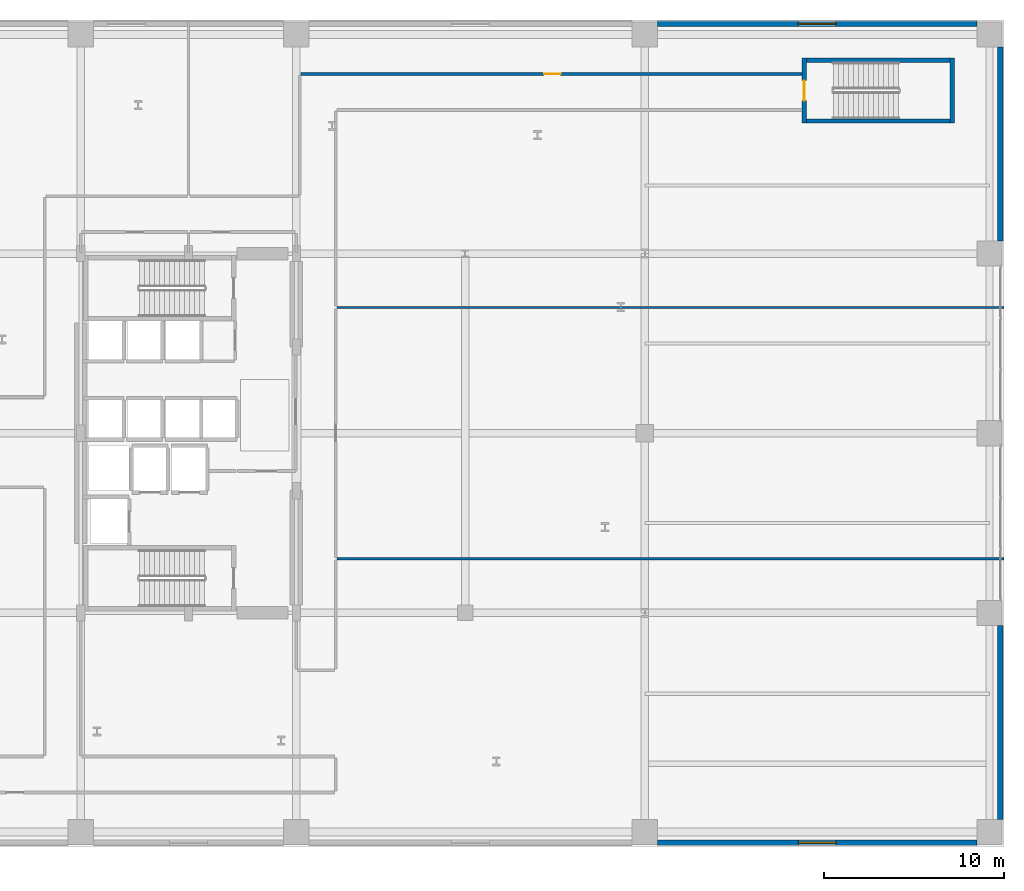
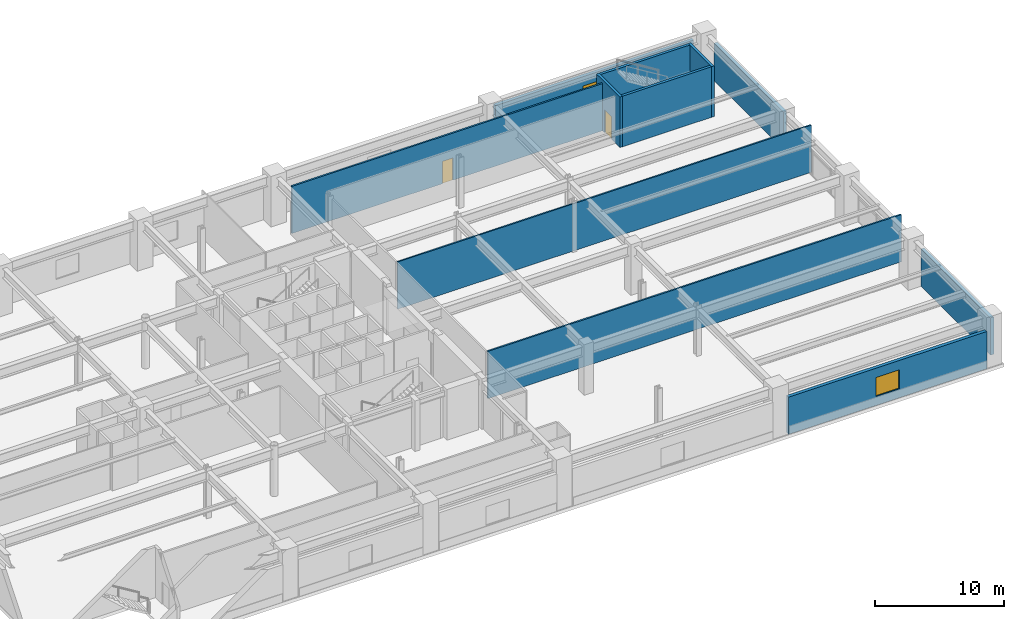
# One storey, part 22 of 28: 11 walls, 2 doors, 2 windows, 4 openings.
"""IFC4 building model written with IfcOpenShell, lengths in metres."""

import ifcopenshell
import ifcopenshell.guid

model = None  # the IFC model being written
_history = None  # IfcOwnerHistory: only IFC2X3 demands one
_inside = {}  # id of a spatial element -> (the spatial element, [elements in it])
_under = {}  # id of a project, library or spatial element -> (it, [spatial elements below it])
_declared = {}  # id of a project -> (the project, [libraries it declares])
_typed = {}  # id of a type object -> (the type object, [elements of that type])
_made_of = {}  # id of a material, layer set ... -> (it, [elements and type objects made of it])


def new_model(schema):
    """Start an empty IFC model of exactly this schema.

    Asked for "IFC4X3", IfcOpenShell would pick the latest addendum, in which some entities
    have other attributes; the version numbers below select the first issue.
    IFC2X3 requires an IfcOwnerHistory on every rooted entity: one is made here for all.
    """
    global model, _history
    if schema == "IFC4X3":
        model = ifcopenshell.file(schema_version=(4, 3, 0, 0))
    else:
        model = ifcopenshell.file(schema=schema)
    _inside.clear()
    _under.clear()
    _declared.clear()
    _typed.clear()
    _made_of.clear()
    _history = None
    if model.schema == "IFC2X3":
        org = make("IfcOrganization", Name="unknown")
        user = make(
            "IfcPersonAndOrganization",
            ThePerson=make("IfcPerson", FamilyName="unknown"),
            TheOrganization=org,
        )
        app = make(
            "IfcApplication",
            ApplicationDeveloper=org,
            Version="unknown",
            ApplicationFullName="unknown",
            ApplicationIdentifier="unknown",
        )
        _history = make(
            "IfcOwnerHistory",
            OwningUser=user,
            OwningApplication=app,
            ChangeAction="ADDED",
            CreationDate=0,
        )
    return model


def make(cls, **values):
    """One entity of the class cls with the attributes given. An attribute that is None is left unset."""
    return model.create_entity(
        cls, **{name: value for name, value in values.items() if value is not None}
    )


def rooted(cls, **values):
    """An entity with a GlobalId (a new one), such as an element, a storey or a relation."""
    return make(cls, GlobalId=ifcopenshell.guid.new(), OwnerHistory=_history, **values)


def si_unit(unit_type, name, prefix=None):
    """IfcSIUnit, for example si_unit("LENGTHUNIT", "METRE", prefix="MILLI")."""
    return make("IfcSIUnit", UnitType=unit_type, Prefix=prefix, Name=name)


def assignment(units):
    """IfcUnitAssignment: the units of a project."""
    return None if units is None else make("IfcUnitAssignment", Units=units)


def point(xyz):
    """IfcCartesianPoint."""
    return None if xyz is None else make("IfcCartesianPoint", Coordinates=xyz)


def direction(xyz):
    """IfcDirection."""
    return None if xyz is None else make("IfcDirection", DirectionRatios=xyz)


def frame(location, z_axis=None, x_axis=None):
    """IfcAxis2Placement3D, a coordinate frame: its origin and axes. An axis left out is left unset."""
    return make(
        "IfcAxis2Placement3D",
        Location=point(location),
        Axis=direction(z_axis),
        RefDirection=direction(x_axis),
    )


def frame_2d(location, x_axis=None):
    """IfcAxis2Placement2D, a coordinate frame in the plane: its origin and x axis."""
    return make(
        "IfcAxis2Placement2D", Location=point(location), RefDirection=direction(x_axis)
    )


def origin():
    """The frame at (0, 0, 0) with its axes left unset."""
    return frame((0.0, 0.0, 0.0))


def place(relative_to, where):
    """IfcLocalPlacement: puts the frame where relative to a parent placement (None: the world)."""
    return make(
        "IfcLocalPlacement", PlacementRelTo=relative_to, RelativePlacement=where
    )


def context(
    kind, dimensions, precision=None, world=None, true_north=None, identifier=None
):
    """IfcGeometricRepresentationContext, for example the 3D "Model" context."""
    return make(
        "IfcGeometricRepresentationContext",
        ContextIdentifier=identifier,
        ContextType=kind,
        CoordinateSpaceDimension=dimensions,
        Precision=precision,
        WorldCoordinateSystem=world,
        TrueNorth=true_north,
    )


def subcontext(parent, identifier, kind, view, scale=None):
    """IfcGeometricRepresentationSubContext, for example "Body" below "Model"."""
    return make(
        "IfcGeometricRepresentationSubContext",
        ContextIdentifier=identifier,
        ContextType=kind,
        ParentContext=parent,
        TargetScale=scale,
        TargetView=view,
    )


def project(units=None, contexts=None):
    """IfcProject with its units and contexts."""
    return rooted(
        "IfcProject",
        Name="project",
        RepresentationContexts=contexts,
        UnitsInContext=assignment(units),
    )


def spatial(cls, under=None, at=None, **own):
    """A site, building, storey or space (cls), placed at a placement, below another one or the project."""
    s = rooted(cls, ObjectPlacement=at, **own)
    if under is not None:
        _under.setdefault(under.id(), (under, []))[1].append(s)
    return s


def profile(cls, at=None, kind="AREA", **sizes):
    """A parametric profile (cls). Its sizes go by their IFC names, for example OverallWidth=200.0."""
    return make(cls, ProfileType=kind, Position=at, **sizes)


def rectangle(**sizes):
    """IfcRectangleProfileDef."""
    return profile("IfcRectangleProfileDef", **sizes)


def extrude(swept, where, along, depth):
    """IfcExtrudedAreaSolid: the profile swept, set in the frame where, extruded along a direction by depth."""
    return make(
        "IfcExtrudedAreaSolid",
        SweptArea=swept,
        Position=where,
        ExtrudedDirection=direction(along),
        Depth=depth,
    )


def shape(context_of_items, identifier, shape_type, items):
    """IfcShapeRepresentation: the items that make up one representation, for example the "Body"."""
    return make(
        "IfcShapeRepresentation",
        ContextOfItems=context_of_items,
        RepresentationIdentifier=identifier,
        RepresentationType=shape_type,
        Items=items,
    )


def material(Name=None, Category=None):
    """IfcMaterial."""
    return make("IfcMaterial", Name=Name, Category=Category)


def layer(
    of_material, thickness, ventilated=None, Name=None, Category=None, Priority=None
):
    """IfcMaterialLayer: one layer of a wall or slab, of a material (None: an air gap)."""
    return make(
        "IfcMaterialLayer",
        Material=of_material,
        LayerThickness=thickness,
        IsVentilated=ventilated,
        Name=Name,
        Category=Category,
        Priority=Priority,
    )


def layer_set(layers, Name=None):
    """IfcMaterialLayerSet."""
    return make("IfcMaterialLayerSet", MaterialLayers=layers, LayerSetName=Name)


def made_of(thing, what):
    """Note that an element or type object is made of a material, layer set ...; save() writes the relation."""
    if what is not None:
        _made_of.setdefault(what.id(), (what, []))[1].append(thing)
    return thing


def type_object(cls, material=None, **own):
    """A type object (cls), such as IfcWallType, which elements share."""
    return made_of(rooted(cls, **own), material)


def element(
    cls,
    number,
    at=None,
    inside=None,
    cuts=None,
    type_object=None,
    material=None,
    context=None,
    identifier="Body",
    shape_type=None,
    held_by="IfcProductDefinitionShape",
    body=None,
    shapes=None,
    **own,
):
    """One element of the class cls, such as IfcWall. Its Tag is "e" and its number.

    at: its placement. inside: the storey or other place that contains it. cuts: it is an
    opening in that element (IfcRelVoidsElement). A single representation is given by context,
    identifier, shape_type and body (its items); several are given by shapes. held_by: the class
    of the entity that holds the representations. save() writes the other relations.
    """
    e = rooted(cls, Tag="e%d" % number, ObjectPlacement=at, **own)
    if body is not None:
        shapes = [shape(context, identifier, shape_type, body)]
    if shapes is not None:
        e.Representation = make(held_by, Representations=shapes)
    if inside is not None:
        _inside.setdefault(inside.id(), (inside, []))[1].append(e)
    if cuts is not None:
        rooted(
            "IfcRelVoidsElement", RelatingBuildingElement=cuts, RelatedOpeningElement=e
        )
    if type_object is not None:
        _typed.setdefault(type_object.id(), (type_object, []))[1].append(e)
    return made_of(e, material)


def fill(opening, filler):
    """IfcRelFillsElement: the door or window that sits in an opening."""
    return rooted(
        "IfcRelFillsElement",
        RelatingOpeningElement=opening,
        RelatedBuildingElement=filler,
    )


def aggregate(whole, parts):
    """IfcRelAggregates: a whole, such as a stair, and the parts it consists of."""
    return rooted("IfcRelAggregates", RelatingObject=whole, RelatedObjects=parts)


def save(model, path):
    """Write the relations noted so far, then the file.

    IfcRelAggregates (storeys below a building ...), IfcRelContainedInSpatialStructure (elements
    in a storey), IfcRelDefinesByType, IfcRelAssociatesMaterial and IfcRelDeclares: one each for
    every whole, place, type object, material and project.
    """
    for whole, parts in _under.values():
        aggregate(whole, parts)
    for where, things in _inside.values():
        rooted(
            "IfcRelContainedInSpatialStructure",
            RelatedElements=things,
            RelatingStructure=where,
        )
    for kind, things in _typed.values():
        rooted("IfcRelDefinesByType", RelatedObjects=things, RelatingType=kind)
    for what, things in _made_of.values():
        rooted("IfcRelAssociatesMaterial", RelatedObjects=things, RelatingMaterial=what)
    for by, libraries in _declared.values():
        rooted("IfcRelDeclares", RelatingContext=by, RelatedDefinitions=libraries)
    model.write(path)


model = new_model("IFC4")

# Units and contexts
model_context = context("Model", 3, precision=1e-05, world=origin(), true_north=direction((0.0, 1.0)))
body_context = subcontext(model_context, "Body", "Model", "MODEL_VIEW")
ifc_project = project(units=[si_unit("LENGTHUNIT", "METRE"), si_unit("AREAUNIT", "SQUARE_METRE"), si_unit("VOLUMEUNIT", "CUBIC_METRE"), si_unit("PLANEANGLEUNIT", "RADIAN"), si_unit("MASSUNIT", "GRAM", prefix="KILO")], contexts=[model_context])

# Site, building, storey
site_placement = place(None, origin())
site = spatial("IfcSite", under=ifc_project, at=site_placement, CompositionType="ELEMENT")
building_placement = place(site_placement, origin())
building = spatial("IfcBuilding", under=site, at=building_placement, Name="Soratama Intermodal Tower", CompositionType="ELEMENT")
storey_placement = place(building_placement, frame((0.0, 0.0, 11.39990234375)))
storey = spatial("IfcBuildingStorey", under=building, at=storey_placement, Name="L02", CompositionType="ELEMENT", Elevation=11.39990234375)

# Wall, opening, window
ifc_material_1 = material(Name="Concrete f'c 42 MPa", Category="concrete")
ifc_layer_1 = layer(ifc_material_1, 0.300048828125)
ifc_layer_set_1 = layer_set([ifc_layer_1], Name="Concrete f'c 42 MPa")
wall_type_1 = type_object("IfcWallType", Name="EW-STONE-300", PredefinedType="SOLIDWALL", material=ifc_layer_set_1)
wall_1_placement = place(storey_placement, frame((64.699951171875, 47.800048828125, 0.0), z_axis=(0.0, 0.0, 1.0), x_axis=(1.0, 0.0, 0.0)))
wall_1 = element("IfcWall", 1, at=wall_1_placement, inside=storey, type_object=wall_type_1, Name="L02 N Limestone Wall B5", PredefinedType="SOLIDWALL", context=body_context, shape_type="SweptSolid", body=[
    extrude(rectangle(XDim=17.800048828125, YDim=0.300048828125, at=frame_2d((8.89990234375, 0.0))), origin(), (0.0, 0.0, 1.0), 3.5361328125),
])
opening_1_placement = place(wall_1_placement, frame((7.85009765625, 0.0, 0.85009765625)))
opening_1 = element("IfcOpeningElement", 2, at=opening_1_placement, cuts=wall_1, Name="Opening WN-0", PredefinedType="OPENING", context=body_context, shape_type="SweptSolid", body=[
    extrude(rectangle(XDim=2.10009765625, YDim=1.800048828125, at=frame_2d((1.050048828125, 0.89990234375))), frame((0.0, 0.159912109375, 0.0), z_axis=(0.0, -1.0, 0.0), x_axis=(1.0, 0.0, 0.0)), (0.0, 0.0, 1.0), 0.320068359375),
])
ifc_material_2 = material(Name="Double-glazed aluminium window", Category="aluminium")
window_type = type_object("IfcWindowType", Name="WN-POD-2100", PartitioningType="SINGLE_PANEL", PredefinedType="WINDOW", material=ifc_material_2)
window_1_placement = place(opening_1_placement, origin())
window_1 = element("IfcWindow", 3, at=window_1_placement, inside=storey, type_object=window_type, Name="L02 N Window B5", OverallHeight=1.800048828125, OverallWidth=2.10009765625, PartitioningType="SINGLE_PANEL", PredefinedType="WINDOW", context=body_context, shape_type="SweptSolid", body=[
    extrude(rectangle(XDim=2.10009765625, YDim=1.800048828125, at=frame_2d((1.050048828125, 0.89990234375))), frame((0.0, 0.030029296875, 0.0), z_axis=(0.0, -1.0, 0.0), x_axis=(1.0, 0.0, 0.0)), (0.0, 0.0, 1.0), 0.06005859375),
])
fill(opening_1, window_1)

wall_2_placement = place(storey_placement, frame((82.5, 2.199951171875, 0.0), z_axis=(0.0, 0.0, 1.0), x_axis=(-1.0, 0.0, 0.0)))
wall_2 = element("IfcWall", 4, at=wall_2_placement, inside=storey, type_object=wall_type_1, Name="L02 S Limestone Wall B5", PredefinedType="SOLIDWALL", context=body_context, shape_type="SweptSolid", body=[
    extrude(rectangle(XDim=17.800048828125, YDim=0.300048828125, at=frame_2d((8.89990234375, 0.0))), origin(), (0.0, 0.0, 1.0), 3.5361328125),
])
opening_2_placement = place(wall_2_placement, frame((7.85009765625, 0.0, 0.85009765625)))
opening_2 = element("IfcOpeningElement", 5, at=opening_2_placement, cuts=wall_2, Name="Opening WN-0", PredefinedType="OPENING", context=body_context, shape_type="SweptSolid", body=[
    extrude(rectangle(XDim=2.10009765625, YDim=1.800048828125, at=frame_2d((1.050048828125, 0.89990234375))), frame((0.0, 0.159912109375, 0.0), z_axis=(0.0, -1.0, 0.0), x_axis=(1.0, 0.0, 0.0)), (0.0, 0.0, 1.0), 0.320068359375),
])
window_2_placement = place(opening_2_placement, origin())
window_2 = element("IfcWindow", 6, at=window_2_placement, inside=storey, type_object=window_type, Name="L02 S Window B5", OverallHeight=1.800048828125, OverallWidth=2.10009765625, PartitioningType="SINGLE_PANEL", PredefinedType="WINDOW", context=body_context, shape_type="SweptSolid", body=[
    extrude(rectangle(XDim=2.10009765625, YDim=1.800048828125, at=frame_2d((1.050048828125, 0.89990234375))), frame((0.0, 0.030029296875, 0.0), z_axis=(0.0, -1.0, 0.0), x_axis=(1.0, 0.0, 0.0)), (0.0, 0.0, 1.0), 0.06005859375),
])
fill(opening_2, window_2)

# Walls
for number, where, z_axis, x_axis, name in (
    (7, (83.800048828125, 14.300048828125, 0.0), (0.0, 0.0, 1.0), (0.0, -1.0, 0.0), "L02 Perimeter Wall ES"),
    (8, (83.800048828125, 46.5, 0.0), (0.0, 0.0, 1.0), (0.0, -1.0, 0.0), "L02 Perimeter Wall EN"),
):
    element("IfcWall", number, at=place(storey_placement, frame(where, z_axis=z_axis, x_axis=x_axis)), inside=storey, type_object=wall_type_1, Name=name, PredefinedType="SOLIDWALL", context=body_context, shape_type="SweptSolid", body=[
        extrude(rectangle(XDim=10.800048828125, YDim=0.300048828125, at=frame_2d((5.39990234375, 0.0))), origin(), (0.0, 0.0, 1.0), 3.5361328125),
    ])

# Wall, opening, door
ifc_material_3 = material(Name="Fire-rated gypsum stud partition", Category="concrete")
ifc_layer_2 = layer(ifc_material_3, 0.14990234375)
ifc_layer_set_2 = layer_set([ifc_layer_2], Name="Fire-rated gypsum stud partition")
wall_type_2 = type_object("IfcWallType", Name="IW-PART-R150", PredefinedType="PARTITIONING", material=ifc_layer_set_2)
wall_3_placement = place(storey_placement, frame((44.8701171875, 45.0, 0.0), z_axis=(0.0, 0.0, 1.0), x_axis=(1.0, 0.0, 0.0)))
wall_3 = element("IfcWall", 9, at=wall_3_placement, inside=storey, type_object=wall_type_2, Name="L02 Partition W-L02-TP004", PredefinedType="PARTITIONING", context=body_context, shape_type="SweptSolid", body=[
    extrude(rectangle(XDim=28.009765625, YDim=0.14990234375, at=frame_2d((14.0048828125, 0.0))), origin(), (0.0, 0.0, 1.0), 4.47998046875),
])
opening_3_placement = place(wall_3_placement, frame((13.530029296875, 0.0, 0.0)))
opening_3 = element("IfcOpeningElement", 10, at=opening_3_placement, cuts=wall_3, Name="Opening ID-6", PredefinedType="OPENING", context=body_context, shape_type="SweptSolid", body=[
    extrude(rectangle(XDim=0.919921875, YDim=2.1201171875, at=frame_2d((0.4599609375, 1.06005859375))), frame((0.0, 0.0849609375, 0.0), z_axis=(0.0, -1.0, 0.0), x_axis=(1.0, 0.0, 0.0)), (0.0, 0.0, 1.0), 0.169921875),
])
ifc_material_4 = material(Name="Solid hardwood acoustic door", Category="wood")
door_type_1 = type_object("IfcDoorType", Name="DR-ROOM-920", OperationType="NOTDEFINED", PredefinedType="DOOR", material=ifc_material_4)
door_1_placement = place(opening_3_placement, origin())
door_1 = element("IfcDoor", 11, at=door_1_placement, inside=storey, type_object=door_type_1, Name="L02 Door D-L02-TP002", OperationType="SINGLE_SWING_LEFT", OverallHeight=2.1201171875, OverallWidth=0.919921875, PredefinedType="DOOR", context=body_context, shape_type="SweptSolid", body=[
    extrude(rectangle(XDim=0.919921875, YDim=2.1201171875, at=frame_2d((0.4599609375, 1.06005859375))), frame((0.0, 0.02490234375, 0.0), z_axis=(0.0, -1.0, 0.0), x_axis=(1.0, 0.0, 0.0)), (0.0, 0.0, 1.0), 0.050048828125),
])
fill(opening_3, door_1)

# Walls
ifc_material_5 = material(Name="Fire-rated gypsum stud partition", Category="concrete")
ifc_layer_3 = layer(ifc_material_5, 0.1298828125)
ifc_layer_set_3 = layer_set([ifc_layer_3], Name="Fire-rated gypsum stud partition")
wall_type_3 = type_object("IfcWallType", Name="IW-PART-S130", PredefinedType="PARTITIONING", material=ifc_layer_set_3)
wall_4_placement = place(storey_placement, frame((46.8701171875, 32.0, 0.0), z_axis=(0.0, 0.0, 1.0), x_axis=(1.0, 0.0, 0.0)))
element("IfcWall", 12, at=wall_4_placement, inside=storey, type_object=wall_type_3, Name="L02 Partition W-L02-TP002", PredefinedType="PARTITIONING", context=body_context, shape_type="SweptSolid", body=[
    extrude(rectangle(XDim=37.1298828125, YDim=0.1298828125, at=frame_2d((18.56494140625, 0.0))), origin(), (0.0, 0.0, 1.0), 4.47998046875),
])
ifc_material_6 = material(Name="Fire-rated gypsum stud partition", Category="concrete")
ifc_layer_4 = layer(ifc_material_6, 0.139892578125)
ifc_layer_set_4 = layer_set([ifc_layer_4], Name="Fire-rated gypsum stud partition")
wall_type_4 = type_object("IfcWallType", Name="IW-PART-S140", PredefinedType="PARTITIONING", material=ifc_layer_set_4)
wall_5_placement = place(storey_placement, frame((46.8701171875, 18.0, 0.0), z_axis=(0.0, 0.0, 1.0), x_axis=(1.0, 0.0, 0.0)))
element("IfcWall", 13, at=wall_5_placement, inside=storey, type_object=wall_type_4, Name="L02 Partition W-L02-TP001", PredefinedType="PARTITIONING", context=body_context, shape_type="SweptSolid", body=[
    extrude(rectangle(XDim=37.1298828125, YDim=0.139892578125, at=frame_2d((18.56494140625, 0.0))), origin(), (0.0, 0.0, 1.0), 4.47998046875),
])

# Wall, opening, door
ifc_material_7 = material(Name="Concrete f'c 56 MPa", Category="concrete")
ifc_layer_5 = layer(ifc_material_7, 0.239990234375)
ifc_layer_set_5 = layer_set([ifc_layer_5], Name="Concrete f'c 56 MPa")
wall_type_5 = type_object("IfcWallType", Name="SW-STAIR-240", PredefinedType="SHEAR", material=ifc_layer_set_5)
wall_6_placement = place(storey_placement, frame((72.8798828125, 42.260009765625, 0.0), z_axis=(0.0, 0.0, 1.0), x_axis=(0.0, 1.0, 0.0)))
wall_6 = element("IfcWall", 14, at=wall_6_placement, inside=storey, type_object=wall_type_5, Name="L02 ST-4 Shaft Shear Wall W", PredefinedType="SHEAR", context=body_context, shape_type="SweptSolid", body=[
    extrude(rectangle(XDim=3.6298828125, YDim=0.239990234375, at=frame_2d((1.81494140625, 0.0))), origin(), (0.0, 0.0, 1.0), 4.800048828125),
])
opening_4_placement = place(wall_6_placement, frame((1.2548828125, 0.0, 0.0)))
opening_4 = element("IfcOpeningElement", 15, at=opening_4_placement, cuts=wall_6, Name="Opening SD-1", PredefinedType="OPENING", context=body_context, shape_type="SweptSolid", body=[
    extrude(rectangle(XDim=1.1201171875, YDim=2.14990234375, at=frame_2d((0.56005859375, 1.074951171875))), frame((0.0, 0.1298828125, 0.0), z_axis=(0.0, -1.0, 0.0), x_axis=(1.0, 0.0, 0.0)), (0.0, 0.0, 1.0), 0.260009765625),
])
ifc_material_8 = material(Name="Steel fire door", Category="steel")
door_type_2 = type_object("IfcDoorType", Name="DR-STAIR-FD90", OperationType="NOTDEFINED", PredefinedType="DOOR", material=ifc_material_8)
door_2_placement = place(opening_4_placement, origin())
door_2 = element("IfcDoor", 16, at=door_2_placement, inside=storey, type_object=door_type_2, Name="L02 ST-4 Exit Stair Door", OperationType="SINGLE_SWING_RIGHT", OverallHeight=2.14990234375, OverallWidth=1.1201171875, PredefinedType="DOOR", context=body_context, shape_type="SweptSolid", body=[
    extrude(rectangle(XDim=1.1201171875, YDim=2.14990234375, at=frame_2d((0.56005859375, 1.074951171875))), frame((0.0, 0.02490234375, 0.0), z_axis=(0.0, -1.0, 0.0), x_axis=(1.0, 0.0, 0.0)), (0.0, 0.0, 1.0), 0.050048828125),
])
fill(opening_4, door_2)

# Walls
wall_7_placement = place(storey_placement, frame((81.1201171875, 42.260009765625, 0.0), z_axis=(0.0, 0.0, 1.0), x_axis=(0.0, 1.0, 0.0)))
element("IfcWall", 17, at=wall_7_placement, inside=storey, type_object=wall_type_5, Name="L02 ST-4 Shaft Shear Wall E", PredefinedType="SHEAR", context=body_context, shape_type="SweptSolid", body=[
    extrude(rectangle(XDim=3.6298828125, YDim=0.239990234375, at=frame_2d((1.81494140625, 0.0))), origin(), (0.0, 0.0, 1.0), 4.800048828125),
])
for number, where, z_axis, x_axis, name in (
    (18, (73.0, 42.3798828125, 0.0), (0.0, 0.0, 1.0), (1.0, 0.0, 0.0), "L02 ST-4 Shaft Shear Wall S"),
    (19, (73.0, 45.77001953125, 0.0), (0.0, 0.0, 1.0), (1.0, 0.0, 0.0), "L02 ST-4 Shaft Shear Wall N"),
):
    element("IfcWall", number, at=place(storey_placement, frame(where, z_axis=z_axis, x_axis=x_axis)), inside=storey, type_object=wall_type_5, Name=name, PredefinedType="SHEAR", context=body_context, shape_type="SweptSolid", body=[
        extrude(rectangle(XDim=8.0, YDim=0.239990234375, at=frame_2d((4.0, 0.0))), origin(), (0.0, 0.0, 1.0), 4.800048828125),
    ])

save(model, "model.ifc")
